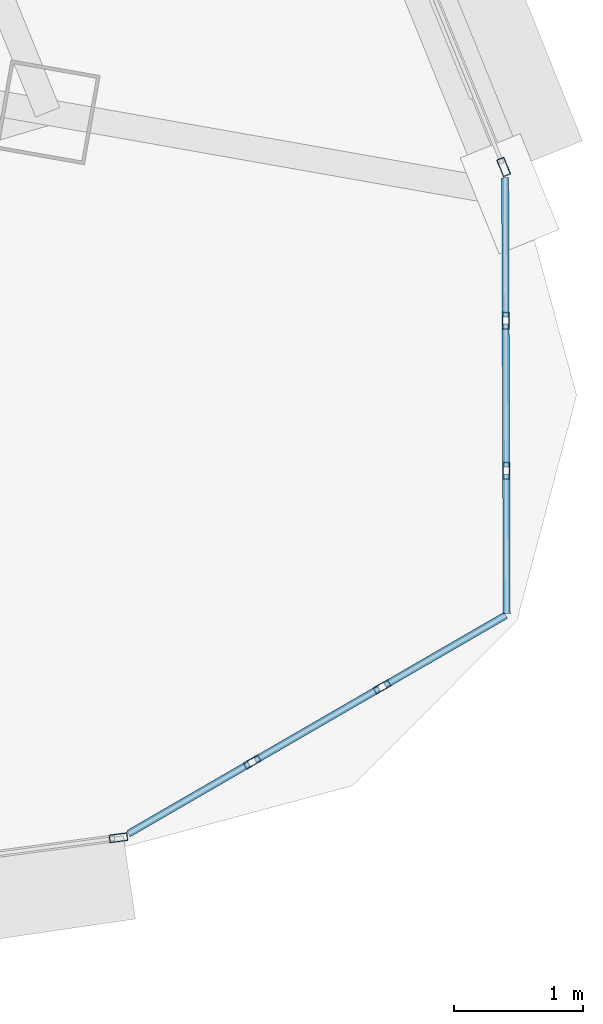
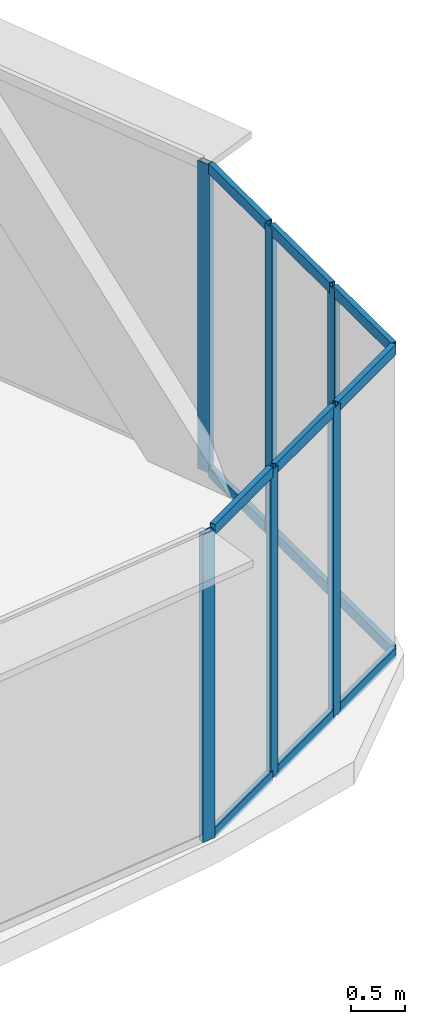
# One storey, part 13 of 28: 18 members, 4 elements without a shape of their own.
"""IFC4 building model written with IfcOpenShell, lengths in metres."""

from ifc_helpers import new_model, si_unit, direction, frame, origin, origin_2d, place, context, subcontext, project, spatial, hollow_rectangle, extrude, source, transform, mapped, material, layer, layer_set, material_profile, profile_set, type_object, element, aggregate, save


model = new_model("IFC4")

# Units and contexts
model_context = context("Model", 3, precision=1e-05, world=origin(), true_north=direction((0.0, 1.0)))
body_context = subcontext(model_context, "Body", "Model", "MODEL_VIEW")
ifc_project = project(units=[si_unit("LENGTHUNIT", "METRE"), si_unit("AREAUNIT", "SQUARE_METRE"), si_unit("VOLUMEUNIT", "CUBIC_METRE"), si_unit("PLANEANGLEUNIT", "RADIAN"), si_unit("MASSUNIT", "GRAM", prefix="KILO"), si_unit("THERMODYNAMICTEMPERATUREUNIT", "KELVIN"), si_unit("POWERUNIT", "WATT")], contexts=[model_context])

# Site, building, storey
site_placement = place(None, origin())
site = spatial("IfcSite", under=ifc_project, at=site_placement, CompositionType="ELEMENT")
building_placement = place(site_placement, origin())
building = spatial("IfcBuilding", under=site, at=building_placement, Name="Yunzhuo Pagoda Commons", CompositionType="ELEMENT")
storey_placement = place(building_placement, frame((0.0, 0.0, 336.760009765625)))
storey = spatial("IfcBuildingStorey", under=building, at=storey_placement, Name="L84", CompositionType="ELEMENT", Elevation=336.760009765625)

# Curtain wall, member
ifc_material = material(Name="Anodized aluminium 6063-T6", Category="aluminium")
ifc_layer_1 = layer(ifc_material, 0.139892578125)
ifc_layer_set_1 = layer_set([ifc_layer_1], Name="Anodized aluminium 6063-T6")
curtain_wall_type_1 = type_object("IfcCurtainWallType", Name="CW-HI High-Zone Ribbon Curtain Wall", PredefinedType="NOTDEFINED", material=ifc_layer_set_1)
curtain_wall_1_placement = place(storey_placement, origin())
curtain_wall_1 = element("IfcCurtainWall", 1, at=curtain_wall_1_placement, inside=storey, type_object=curtain_wall_type_1, Name="L84 curtain wall CW-L84-F1B5", PredefinedType="NOTDEFINED")
ifc_material_profile_1 = material_profile(ifc_material, hollow_rectangle(XDim=0.06005859375, YDim=0.139892578125, WallThickness=0.00341796875, at=origin_2d()), Name="Anodized aluminium 6063-T6")
ifc_profile_set_1 = profile_set([ifc_material_profile_1], Name="Anodized aluminium 6063-T6")
member_type_1 = type_object("IfcMemberType", Name="CW-HI-M Mullion RHS 140x60x3.5", PredefinedType="MULLION", material=ifc_profile_set_1)
shared_shape_1 = source(origin(), body_context, "Body", "SweptSolid", [
    extrude(hollow_rectangle(XDim=0.06005859375, YDim=0.139892578125, WallThickness=0.00341796875, at=origin_2d()), origin(), (0.0, 0.0, 1.0), 3.489990234375),
])
member_1_placement = place(storey_placement, frame((73.0166015625, 23.781982421875, 0.0), z_axis=(0.0, 0.0, 1.0), x_axis=(-0.132068741636, 0.991240559845, 0.0)))
member_1 = element("IfcMember", 2, at=member_1_placement, type_object=member_type_1, Name="CW mullion 2", PredefinedType="MULLION", context=body_context, shape_type="MappedRepresentation", body=[
    mapped(shared_shape_1, transform((0.0, 0.0, 0.0), scale=1.0)),
])
aggregate(curtain_wall_1, [member_1])

curtain_wall_2_placement = place(storey_placement, origin())
curtain_wall_2 = element("IfcCurtainWall", 3, at=curtain_wall_2_placement, inside=storey, type_object=curtain_wall_type_1, Name="L84 curtain wall CW-L84-F2B2", PredefinedType="NOTDEFINED")
member_2_placement = place(storey_placement, frame((75.991455078125, 28.962890625, 0.0), z_axis=(0.0, 0.0, 1.0), x_axis=(-0.925729863061, -0.37818543155, 0.0)))
member_2 = element("IfcMember", 4, at=member_2_placement, type_object=member_type_1, Name="CW mullion 1", PredefinedType="MULLION", context=body_context, shape_type="MappedRepresentation", body=[
    mapped(shared_shape_1, transform((0.0, 0.0, 0.0), scale=1.0)),
])
aggregate(curtain_wall_2, [member_2])

# Curtain wall, members
ifc_layer_2 = layer(ifc_material, 0.1298828125)
ifc_layer_set_2 = layer_set([ifc_layer_2], Name="Anodized aluminium 6063-T6")
curtain_wall_type_2 = type_object("IfcCurtainWallType", Name="CW-VTX Rounded Corner Curtain Wall", PredefinedType="NOTDEFINED", material=ifc_layer_set_2)
curtain_wall_3_placement = place(storey_placement, origin())
curtain_wall_3 = element("IfcCurtainWall", 5, at=curtain_wall_3_placement, inside=storey, type_object=curtain_wall_type_2, Name="L84 curtain wall CW-L84-VTX2S1", PredefinedType="NOTDEFINED")
ifc_material_profile_2 = material_profile(ifc_material, hollow_rectangle(XDim=0.054931640625, YDim=0.1298828125, WallThickness=0.00341796875, at=origin_2d()), Name="Anodized aluminium 6063-T6")
ifc_profile_set_2 = profile_set([ifc_material_profile_2], Name="Anodized aluminium 6063-T6")
member_type_2 = type_object("IfcMemberType", Name="CW-VTX-M Mullion RHS 130x55x3.5", PredefinedType="MULLION", material=ifc_profile_set_2)
shared_shape_2 = source(origin(), body_context, "Body", "SweptSolid", [
    extrude(hollow_rectangle(XDim=0.054931640625, YDim=0.1298828125, WallThickness=0.00341796875, at=origin_2d()), origin(), (0.0, 0.0, 1.0), 3.489990234375),
])
member_3_placement = place(storey_placement, frame((74.04931640625, 24.36669921875, 0.0), z_axis=(0.0, 0.0, 1.0), x_axis=(-0.501028333753, 0.865430880416, 0.0)))
member_3 = element("IfcMember", 6, at=member_3_placement, type_object=member_type_2, Name="CW mullion 2", PredefinedType="MULLION", context=body_context, shape_type="MappedRepresentation", body=[
    mapped(shared_shape_2, transform((0.0, 0.0, 0.0), scale=1.0)),
])
member_4_placement = place(storey_placement, frame((75.05224609375, 24.947265625, 0.0), z_axis=(0.0, 0.0, 1.0), x_axis=(-0.501028333753, 0.865430880416, 0.0)))
member_4 = element("IfcMember", 7, at=member_4_placement, type_object=member_type_2, Name="CW mullion 3", PredefinedType="MULLION", context=body_context, shape_type="MappedRepresentation", body=[
    mapped(shared_shape_2, transform((0.0, 0.0, 0.0), scale=1.0)),
])

curtain_wall_4_placement = place(storey_placement, origin())
curtain_wall_4 = element("IfcCurtainWall", 8, at=curtain_wall_4_placement, inside=storey, type_object=curtain_wall_type_2, Name="L84 curtain wall CW-L84-VTX2S2", PredefinedType="NOTDEFINED")
member_5_placement = place(storey_placement, frame((76.011474609375, 26.617431640625, 0.0), z_axis=(0.0, 0.0, 1.0), x_axis=(-0.999993639375, -0.003566680416, 0.0)))
member_5 = element("IfcMember", 9, at=member_5_placement, type_object=member_type_2, Name="CW mullion 2", PredefinedType="MULLION", context=body_context, shape_type="MappedRepresentation", body=[
    mapped(shared_shape_2, transform((0.0, 0.0, 0.0), scale=1.0)),
])
member_6_placement = place(storey_placement, frame((76.007080078125, 27.776123046875, 0.0), z_axis=(0.0, 0.0, 1.0), x_axis=(-0.999993639375, -0.003566680416, 0.0)))
member_6 = element("IfcMember", 10, at=member_6_placement, type_object=member_type_2, Name="CW mullion 3", PredefinedType="MULLION", context=body_context, shape_type="MappedRepresentation", body=[
    mapped(shared_shape_2, transform((0.0, 0.0, 0.0), scale=1.0)),
])

# Member
ifc_material_profile_3 = material_profile(ifc_material, hollow_rectangle(XDim=0.054931640625, YDim=0.1201171875, WallThickness=0.00341796875, at=origin_2d()), Name="Anodized aluminium 6063-T6")
ifc_profile_set_3 = profile_set([ifc_material_profile_3], Name="Anodized aluminium 6063-T6")
member_type_3 = type_object("IfcMemberType", Name="CW-VTX-T Transom RHS 120x55x3.5", PredefinedType="USERDEFINED", material=ifc_profile_set_3)
shared_shape_3 = source(origin(), body_context, "Body", "SweptSolid", [
    extrude(hollow_rectangle(XDim=0.054931640625, YDim=0.1201171875, WallThickness=0.00341796875, at=origin_2d()), origin(), (0.0, 0.0, 1.0), 1.076171875),
])
member_7_placement = place(storey_placement, frame((75.076171875, 24.961181640625, 0.027587890625), z_axis=(0.865493584374, 0.50092000899, 0.0), x_axis=(-0.50092000899, 0.865493584374, 0.0)))
member_7 = element("IfcMember", 11, at=member_7_placement, type_object=member_type_3, Name="CW transom 3.1", ObjectType="TRANSOM", PredefinedType="USERDEFINED", context=body_context, shape_type="MappedRepresentation", body=[
    mapped(shared_shape_3, transform((0.0, 0.0, 0.0), scale=1.0)),
])

member_8_placement = place(storey_placement, frame((75.076171875, 24.961181640625, 3.46240234375), z_axis=(0.865493584374, 0.50092000899, 0.0), x_axis=(-0.50092000899, 0.865493584374, 0.0)))
member_8 = element("IfcMember", 12, at=member_8_placement, type_object=member_type_3, Name="CW transom 3.2", ObjectType="TRANSOM", PredefinedType="USERDEFINED", context=body_context, shape_type="MappedRepresentation", body=[
    mapped(shared_shape_3, transform((0.0, 0.0, 0.0), scale=1.0)),
])

member_9_placement = place(storey_placement, frame((76.0068359375, 27.8037109375, 0.027587890625), z_axis=(-0.003402884109, 0.999994210173, 0.0), x_axis=(-0.999994210173, -0.003402884109, 0.0)))
member_9 = element("IfcMember", 13, at=member_9_placement, type_object=member_type_3, Name="CW transom 3.1", ObjectType="TRANSOM", PredefinedType="USERDEFINED", context=body_context, shape_type="MappedRepresentation", body=[
    mapped(shared_shape_3, transform((0.0, 0.0, 0.0), scale=1.0)),
])

member_10_placement = place(storey_placement, frame((76.0068359375, 27.8037109375, 3.46240234375), z_axis=(-0.003402884109, 0.999994210173, 0.0), x_axis=(-0.999994210173, -0.003402884109, 0.0)))
member_10 = element("IfcMember", 14, at=member_10_placement, type_object=member_type_3, Name="CW transom 3.2", ObjectType="TRANSOM", PredefinedType="USERDEFINED", context=body_context, shape_type="MappedRepresentation", body=[
    mapped(shared_shape_3, transform((0.0, 0.0, 0.0), scale=1.0)),
])

shared_shape_4 = source(origin(), body_context, "Body", "SweptSolid", [
    extrude(hollow_rectangle(XDim=0.054931640625, YDim=0.1201171875, WallThickness=0.00341796875, at=origin_2d()), origin(), (0.0, 0.0, 1.0), 1.103759765625),
])
member_11_placement = place(storey_placement, frame((76.010986328125, 26.644775390625, 0.027587890625), z_axis=(-0.003539017873, 0.999993737657, 0.0), x_axis=(-0.999993737657, -0.003539017873, 0.0)))
member_11 = element("IfcMember", 15, at=member_11_placement, type_object=member_type_3, Name="CW transom 2.1", ObjectType="TRANSOM", PredefinedType="USERDEFINED", context=body_context, shape_type="MappedRepresentation", body=[
    mapped(shared_shape_4, transform((0.0, 0.0, 0.0), scale=1.0)),
])

member_12_placement = place(storey_placement, frame((76.010986328125, 26.644775390625, 3.46240234375), z_axis=(-0.003539017873, 0.999993737657, 0.0), x_axis=(-0.999993737657, -0.003539017873, 0.0)))
member_12 = element("IfcMember", 16, at=member_12_placement, type_object=member_type_3, Name="CW transom 2.2", ObjectType="TRANSOM", PredefinedType="USERDEFINED", context=body_context, shape_type="MappedRepresentation", body=[
    mapped(shared_shape_4, transform((0.0, 0.0, 0.0), scale=1.0)),
])

shared_shape_5 = source(origin(), body_context, "Body", "SweptSolid", [
    extrude(hollow_rectangle(XDim=0.054931640625, YDim=0.1201171875, WallThickness=0.00341796875, at=origin_2d()), origin(), (0.0, 0.0, 1.0), 1.076416015625),
])
member_13_placement = place(storey_placement, frame((73.093994140625, 23.8134765625, 0.027587890625), z_axis=(0.865452163497, 0.500991569488, 0.0), x_axis=(-0.500991569488, 0.865452163497, 0.0)))
member_13 = element("IfcMember", 17, at=member_13_placement, type_object=member_type_3, Name="CW transom 1.1", ObjectType="TRANSOM", PredefinedType="USERDEFINED", context=body_context, shape_type="MappedRepresentation", body=[
    mapped(shared_shape_5, transform((0.0, 0.0, 0.0), scale=1.0)),
])

member_14_placement = place(storey_placement, frame((73.093994140625, 23.8134765625, 3.46240234375), z_axis=(0.865452163497, 0.500991569488, 0.0), x_axis=(-0.500991569488, 0.865452163497, 0.0)))
member_14 = element("IfcMember", 18, at=member_14_placement, type_object=member_type_3, Name="CW transom 1.2", ObjectType="TRANSOM", PredefinedType="USERDEFINED", context=body_context, shape_type="MappedRepresentation", body=[
    mapped(shared_shape_5, transform((0.0, 0.0, 0.0), scale=1.0)),
])

member_15_placement = place(storey_placement, frame((76.01513671875, 25.513427734375, 0.027587890625), z_axis=(-0.003402112314, 0.999994212799, 0.0), x_axis=(-0.999994212799, -0.003402112314, 0.0)))
member_15 = element("IfcMember", 19, at=member_15_placement, type_object=member_type_3, Name="CW transom 1.1", ObjectType="TRANSOM", PredefinedType="USERDEFINED", context=body_context, shape_type="MappedRepresentation", body=[
    mapped(shared_shape_5, transform((0.0, 0.0, 0.0), scale=1.0)),
])

member_16_placement = place(storey_placement, frame((76.01513671875, 25.513427734375, 3.46240234375), z_axis=(-0.003402112314, 0.999994212799, 0.0), x_axis=(-0.999994212799, -0.003402112314, 0.0)))
member_16 = element("IfcMember", 20, at=member_16_placement, type_object=member_type_3, Name="CW transom 1.2", ObjectType="TRANSOM", PredefinedType="USERDEFINED", context=body_context, shape_type="MappedRepresentation", body=[
    mapped(shared_shape_5, transform((0.0, 0.0, 0.0), scale=1.0)),
])

aggregate(curtain_wall_4, [member_5, member_6, member_15, member_16, member_11, member_12, member_9, member_10])

shared_shape_6 = source(origin(), body_context, "Body", "SweptSolid", [
    extrude(hollow_rectangle(XDim=0.054931640625, YDim=0.1201171875, WallThickness=0.00341796875, at=origin_2d()), origin(), (0.0, 0.0, 1.0), 1.104248046875),
])
member_17_placement = place(storey_placement, frame((74.0732421875, 24.38037109375, 0.027587890625), z_axis=(0.865426285481, 0.501036270542, 0.0), x_axis=(-0.501036270542, 0.865426285481, 0.0)))
member_17 = element("IfcMember", 21, at=member_17_placement, type_object=member_type_3, Name="CW transom 2.1", ObjectType="TRANSOM", PredefinedType="USERDEFINED", context=body_context, shape_type="MappedRepresentation", body=[
    mapped(shared_shape_6, transform((0.0, 0.0, 0.0), scale=1.0)),
])

member_18_placement = place(storey_placement, frame((74.0732421875, 24.38037109375, 3.46240234375), z_axis=(0.865426285481, 0.501036270542, 0.0), x_axis=(-0.501036270542, 0.865426285481, 0.0)))
member_18 = element("IfcMember", 22, at=member_18_placement, type_object=member_type_3, Name="CW transom 2.2", ObjectType="TRANSOM", PredefinedType="USERDEFINED", context=body_context, shape_type="MappedRepresentation", body=[
    mapped(shared_shape_6, transform((0.0, 0.0, 0.0), scale=1.0)),
])

aggregate(curtain_wall_3, [member_3, member_4, member_13, member_14, member_17, member_18, member_7, member_8])

save(model, "model.ifc")
